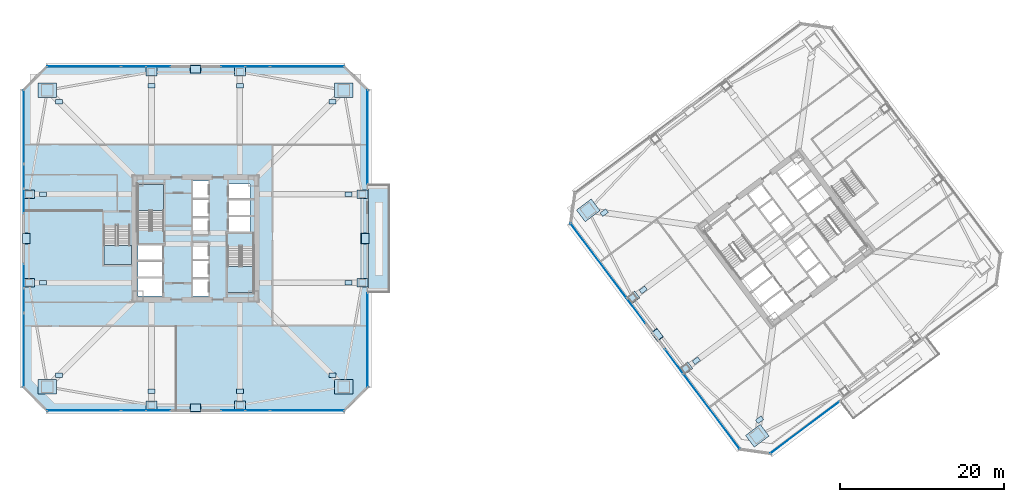
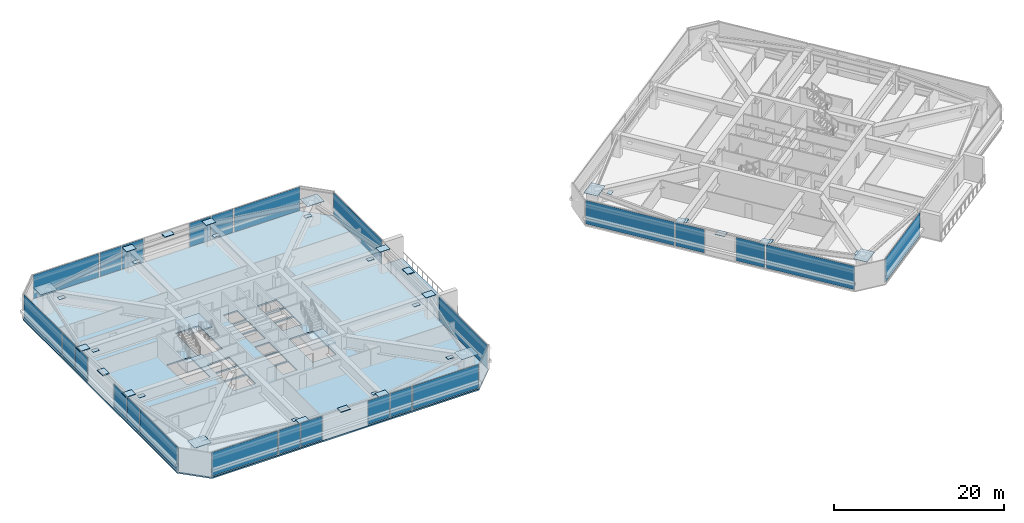
# One storey, part 36 of 49: 67 plates, 5 slabs, 22 elements without a shape of their own.
"""IFC4 building model written with IfcOpenShell, lengths in metres."""

from ifc_helpers import new_model, si_unit, direction, frame, origin, origin_2d, place, context, subcontext, project, spatial, polyline, rectangle, outline, extrude, material, layer, layer_set, type_object, element, aggregate, save


model = new_model("IFC4")

# Units and contexts
model_context = context("Model", 3, precision=1e-05, world=origin(), true_north=direction((0.0, 1.0)))
body_context = subcontext(model_context, "Body", "Model", "MODEL_VIEW")
ifc_project = project(units=[si_unit("LENGTHUNIT", "METRE"), si_unit("AREAUNIT", "SQUARE_METRE"), si_unit("VOLUMEUNIT", "CUBIC_METRE"), si_unit("PLANEANGLEUNIT", "RADIAN"), si_unit("MASSUNIT", "GRAM", prefix="KILO")], contexts=[model_context])

# Site, building, storey
site_placement = place(None, origin())
site = spatial("IfcSite", under=ifc_project, at=site_placement, CompositionType="ELEMENT")
building_placement = place(site_placement, origin())
building = spatial("IfcBuilding", under=site, at=building_placement, Name="Tashvorn Skyway Center", CompositionType="ELEMENT")
storey_placement = place(building_placement, frame((0.0, 0.0, 106.25)))
storey = spatial("IfcBuildingStorey", under=building, at=storey_placement, Name="L28", CompositionType="ELEMENT", Elevation=106.25)

# Curtain wall, plate
ifc_material_1 = material(Name="Thermally broken bronze-anodized aluminium 6063-T6", Category="aluminium")
curtain_wall_type = type_object("IfcCurtainWallType", Name="CW-CW-Z2", PredefinedType="NOTDEFINED", material=ifc_material_1)
curtain_wall_1_placement = place(storey_placement, origin())
curtain_wall_1 = element("IfcCurtainWall", 1, at=curtain_wall_1_placement, inside=storey, type_object=curtain_wall_type, Name="Tower 1 L28 South Unitised Curtain Wall Glazing Group 1", PredefinedType="NOTDEFINED")
ifc_material_2 = material(Name="Low-E solar-control double insulating safety glass", Category="glass")
ifc_layer_1 = layer(ifc_material_2, 0.0439453125)
ifc_layer_set_1 = layer_set([ifc_layer_1], Name="Low-E solar-control double insulating safety glass")
plate_type_1 = type_object("IfcPlateType", Name="CWP-CW-Z2", PredefinedType="CURTAIN_PANEL", material=ifc_layer_set_1)
plate_1_placement = place(storey_placement, frame((55.635009765625, 11.02001953125, 0.080078125), z_axis=(0.0, 0.0, 1.0), x_axis=(-1.0, 0.0, 0.0)))
plate_1 = element("IfcPlate", 2, at=plate_1_placement, type_object=plate_type_1, Name="CW-Z2 panel 1.1", PredefinedType="CURTAIN_PANEL", context=body_context, shape_type="SweptSolid", body=[
    extrude(rectangle(XDim=8.929931640625, YDim=0.0439453125, at=origin_2d()), origin(), (0.0, 0.0, 1.0), 3.389892578125),
])
aggregate(curtain_wall_1, [plate_1])

# Curtain wall, plates
curtain_wall_2_placement = place(storey_placement, origin())
curtain_wall_2 = element("IfcCurtainWall", 3, at=curtain_wall_2_placement, inside=storey, type_object=curtain_wall_type, Name="Tower 1 L28 South Unitised Curtain Wall Glazing Group 2", PredefinedType="NOTDEFINED")
plate_2_placement = place(storey_placement, frame((49.554931640625, 11.02001953125, 0.080078125), z_axis=(0.0, 0.0, 1.0), x_axis=(-1.0, 0.0, 0.0)))
plate_2 = element("IfcPlate", 4, at=plate_2_placement, type_object=plate_type_1, Name="CW-Z2 panel 1.1", PredefinedType="CURTAIN_PANEL", context=body_context, shape_type="SweptSolid", body=[
    extrude(rectangle(XDim=2.909912109375, YDim=0.0439453125, at=origin_2d()), origin(), (0.0, 0.0, 1.0), 3.389892578125),
])
plate_3_placement = place(storey_placement, frame((46.56494140625, 11.02001953125, 0.080078125), z_axis=(0.0, 0.0, 1.0), x_axis=(-1.0, 0.0, 0.0)))
plate_3 = element("IfcPlate", 5, at=plate_3_placement, type_object=plate_type_1, Name="CW-Z2 panel 2.1", PredefinedType="CURTAIN_PANEL", context=body_context, shape_type="SweptSolid", body=[
    extrude(rectangle(XDim=2.909912109375, YDim=0.0439453125, at=origin_2d()), origin(), (0.0, 0.0, 1.0), 3.389892578125),
])
aggregate(curtain_wall_2, [plate_2, plate_3])

curtain_wall_3_placement = place(storey_placement, origin())
curtain_wall_3 = element("IfcCurtainWall", 6, at=curtain_wall_3_placement, inside=storey, type_object=curtain_wall_type, Name="Tower 1 L28 South Unitised Curtain Wall Glazing Group 3", PredefinedType="NOTDEFINED")
plate_4_placement = place(storey_placement, frame((37.43505859375, 11.02001953125, 0.080078125), z_axis=(0.0, 0.0, 1.0), x_axis=(-1.0, 0.0, 0.0)))
plate_4 = element("IfcPlate", 7, at=plate_4_placement, type_object=plate_type_1, Name="CW-Z2 panel 1.1", PredefinedType="CURTAIN_PANEL", context=body_context, shape_type="SweptSolid", body=[
    extrude(rectangle(XDim=2.909912109375, YDim=0.0439453125, at=origin_2d()), origin(), (0.0, 0.0, 1.0), 3.389892578125),
])
plate_5_placement = place(storey_placement, frame((34.445068359375, 11.02001953125, 0.080078125), z_axis=(0.0, 0.0, 1.0), x_axis=(-1.0, 0.0, 0.0)))
plate_5 = element("IfcPlate", 8, at=plate_5_placement, type_object=plate_type_1, Name="CW-Z2 panel 2.1", PredefinedType="CURTAIN_PANEL", context=body_context, shape_type="SweptSolid", body=[
    extrude(rectangle(XDim=2.909912109375, YDim=0.0439453125, at=origin_2d()), origin(), (0.0, 0.0, 1.0), 3.389892578125),
])
aggregate(curtain_wall_3, [plate_4, plate_5])

# Curtain wall, plate
curtain_wall_4_placement = place(storey_placement, origin())
curtain_wall_4 = element("IfcCurtainWall", 9, at=curtain_wall_4_placement, inside=storey, type_object=curtain_wall_type, Name="Tower 1 L28 South Unitised Curtain Wall Glazing Group 4", PredefinedType="NOTDEFINED")
plate_6_placement = place(storey_placement, frame((28.364990234375, 11.02001953125, 0.080078125), z_axis=(0.0, 0.0, 1.0), x_axis=(-1.0, 0.0, 0.0)))
plate_6 = element("IfcPlate", 10, at=plate_6_placement, type_object=plate_type_1, Name="CW-Z2 panel 1.1", PredefinedType="CURTAIN_PANEL", context=body_context, shape_type="SweptSolid", body=[
    extrude(rectangle(XDim=8.929931640625, YDim=0.0439453125, at=origin_2d()), origin(), (0.0, 0.0, 1.0), 3.389892578125),
])
aggregate(curtain_wall_4, [plate_6])

curtain_wall_5_placement = place(storey_placement, origin())
curtain_wall_5 = element("IfcCurtainWall", 11, at=curtain_wall_5_placement, inside=storey, type_object=curtain_wall_type, Name="Tower 1 L28 West Unitised Curtain Wall Glazing Group 1", PredefinedType="NOTDEFINED")
plate_7_placement = place(storey_placement, frame((21.02001953125, 18.364990234375, 0.080078125), z_axis=(0.0, 0.0, 1.0), x_axis=(0.0, 1.0, 0.0)))
plate_7 = element("IfcPlate", 12, at=plate_7_placement, type_object=plate_type_1, Name="CW-Z2 panel 1.1", PredefinedType="CURTAIN_PANEL", context=body_context, shape_type="SweptSolid", body=[
    extrude(rectangle(XDim=8.929931640625, YDim=0.0439453125, at=origin_2d()), origin(), (0.0, 0.0, 1.0), 3.389892578125),
])
aggregate(curtain_wall_5, [plate_7])

# Curtain wall, plates
curtain_wall_6_placement = place(storey_placement, origin())
curtain_wall_6 = element("IfcCurtainWall", 13, at=curtain_wall_6_placement, inside=storey, type_object=curtain_wall_type, Name="Tower 1 L28 West Unitised Curtain Wall Glazing Group 2", PredefinedType="NOTDEFINED")
plate_8_placement = place(storey_placement, frame((21.02001953125, 24.445068359375, 0.080078125), z_axis=(0.0, 0.0, 1.0), x_axis=(0.0, 1.0, 0.0)))
plate_8 = element("IfcPlate", 14, at=plate_8_placement, type_object=plate_type_1, Name="CW-Z2 panel 1.1", PredefinedType="CURTAIN_PANEL", context=body_context, shape_type="SweptSolid", body=[
    extrude(rectangle(XDim=2.909912109375, YDim=0.0439453125, at=origin_2d()), origin(), (0.0, 0.0, 1.0), 3.389892578125),
])
plate_9_placement = place(storey_placement, frame((21.02001953125, 27.43505859375, 0.080078125), z_axis=(0.0, 0.0, 1.0), x_axis=(0.0, 1.0, 0.0)))
plate_9 = element("IfcPlate", 15, at=plate_9_placement, type_object=plate_type_1, Name="CW-Z2 panel 2.1", PredefinedType="CURTAIN_PANEL", context=body_context, shape_type="SweptSolid", body=[
    extrude(rectangle(XDim=2.909912109375, YDim=0.0439453125, at=origin_2d()), origin(), (0.0, 0.0, 1.0), 3.389892578125),
])
aggregate(curtain_wall_6, [plate_8, plate_9])

curtain_wall_7_placement = place(storey_placement, origin())
curtain_wall_7 = element("IfcCurtainWall", 16, at=curtain_wall_7_placement, inside=storey, type_object=curtain_wall_type, Name="Tower 1 L28 West Unitised Curtain Wall Glazing Group 3", PredefinedType="NOTDEFINED")
plate_10_placement = place(storey_placement, frame((21.02001953125, 36.56494140625, 0.080078125), z_axis=(0.0, 0.0, 1.0), x_axis=(0.0, 1.0, 0.0)))
plate_10 = element("IfcPlate", 17, at=plate_10_placement, type_object=plate_type_1, Name="CW-Z2 panel 1.1", PredefinedType="CURTAIN_PANEL", context=body_context, shape_type="SweptSolid", body=[
    extrude(rectangle(XDim=2.909912109375, YDim=0.0439453125, at=origin_2d()), origin(), (0.0, 0.0, 1.0), 3.389892578125),
])
plate_11_placement = place(storey_placement, frame((21.02001953125, 39.554931640625, 0.080078125), z_axis=(0.0, 0.0, 1.0), x_axis=(0.0, 1.0, 0.0)))
plate_11 = element("IfcPlate", 18, at=plate_11_placement, type_object=plate_type_1, Name="CW-Z2 panel 2.1", PredefinedType="CURTAIN_PANEL", context=body_context, shape_type="SweptSolid", body=[
    extrude(rectangle(XDim=2.909912109375, YDim=0.0439453125, at=origin_2d()), origin(), (0.0, 0.0, 1.0), 3.389892578125),
])
aggregate(curtain_wall_7, [plate_10, plate_11])

# Curtain wall, plate
curtain_wall_8_placement = place(storey_placement, origin())
curtain_wall_8 = element("IfcCurtainWall", 19, at=curtain_wall_8_placement, inside=storey, type_object=curtain_wall_type, Name="Tower 1 L28 West Unitised Curtain Wall Glazing Group 4", PredefinedType="NOTDEFINED")
plate_12_placement = place(storey_placement, frame((21.02001953125, 45.635009765625, 0.080078125), z_axis=(0.0, 0.0, 1.0), x_axis=(0.0, 1.0, 0.0)))
plate_12 = element("IfcPlate", 20, at=plate_12_placement, type_object=plate_type_1, Name="CW-Z2 panel 1.1", PredefinedType="CURTAIN_PANEL", context=body_context, shape_type="SweptSolid", body=[
    extrude(rectangle(XDim=8.929931640625, YDim=0.0439453125, at=origin_2d()), origin(), (0.0, 0.0, 1.0), 3.389892578125),
])
aggregate(curtain_wall_8, [plate_12])

curtain_wall_9_placement = place(storey_placement, origin())
curtain_wall_9 = element("IfcCurtainWall", 21, at=curtain_wall_9_placement, inside=storey, type_object=curtain_wall_type, Name="Tower 1 L28 North Unitised Curtain Wall Glazing Group 1", PredefinedType="NOTDEFINED")
plate_13_placement = place(storey_placement, frame((28.364990234375, 52.97998046875, 0.080078125), z_axis=(0.0, 0.0, 1.0), x_axis=(1.0, 0.0, 0.0)))
plate_13 = element("IfcPlate", 22, at=plate_13_placement, type_object=plate_type_1, Name="CW-Z2 panel 1.1", PredefinedType="CURTAIN_PANEL", context=body_context, shape_type="SweptSolid", body=[
    extrude(rectangle(XDim=8.929931640625, YDim=0.0439453125, at=origin_2d()), origin(), (0.0, 0.0, 1.0), 3.389892578125),
])
aggregate(curtain_wall_9, [plate_13])

# Curtain wall, plates
curtain_wall_10_placement = place(storey_placement, origin())
curtain_wall_10 = element("IfcCurtainWall", 23, at=curtain_wall_10_placement, inside=storey, type_object=curtain_wall_type, Name="Tower 1 L28 North Unitised Curtain Wall Glazing Group 2", PredefinedType="NOTDEFINED")
plate_14_placement = place(storey_placement, frame((34.445068359375, 52.97998046875, 0.080078125), z_axis=(0.0, 0.0, 1.0), x_axis=(1.0, 0.0, 0.0)))
plate_14 = element("IfcPlate", 24, at=plate_14_placement, type_object=plate_type_1, Name="CW-Z2 panel 1.1", PredefinedType="CURTAIN_PANEL", context=body_context, shape_type="SweptSolid", body=[
    extrude(rectangle(XDim=2.909912109375, YDim=0.0439453125, at=origin_2d()), origin(), (0.0, 0.0, 1.0), 3.389892578125),
])
plate_15_placement = place(storey_placement, frame((37.43505859375, 52.97998046875, 0.080078125), z_axis=(0.0, 0.0, 1.0), x_axis=(1.0, 0.0, 0.0)))
plate_15 = element("IfcPlate", 25, at=plate_15_placement, type_object=plate_type_1, Name="CW-Z2 panel 2.1", PredefinedType="CURTAIN_PANEL", context=body_context, shape_type="SweptSolid", body=[
    extrude(rectangle(XDim=2.909912109375, YDim=0.0439453125, at=origin_2d()), origin(), (0.0, 0.0, 1.0), 3.389892578125),
])
aggregate(curtain_wall_10, [plate_14, plate_15])

curtain_wall_11_placement = place(storey_placement, origin())
curtain_wall_11 = element("IfcCurtainWall", 26, at=curtain_wall_11_placement, inside=storey, type_object=curtain_wall_type, Name="Tower 1 L28 North Unitised Curtain Wall Glazing Group 3", PredefinedType="NOTDEFINED")
plate_16_placement = place(storey_placement, frame((46.56494140625, 52.97998046875, 0.080078125), z_axis=(0.0, 0.0, 1.0), x_axis=(1.0, 0.0, 0.0)))
plate_16 = element("IfcPlate", 27, at=plate_16_placement, type_object=plate_type_1, Name="CW-Z2 panel 1.1", PredefinedType="CURTAIN_PANEL", context=body_context, shape_type="SweptSolid", body=[
    extrude(rectangle(XDim=2.909912109375, YDim=0.0439453125, at=origin_2d()), origin(), (0.0, 0.0, 1.0), 3.389892578125),
])
plate_17_placement = place(storey_placement, frame((49.554931640625, 52.97998046875, 0.080078125), z_axis=(0.0, 0.0, 1.0), x_axis=(1.0, 0.0, 0.0)))
plate_17 = element("IfcPlate", 28, at=plate_17_placement, type_object=plate_type_1, Name="CW-Z2 panel 2.1", PredefinedType="CURTAIN_PANEL", context=body_context, shape_type="SweptSolid", body=[
    extrude(rectangle(XDim=2.909912109375, YDim=0.0439453125, at=origin_2d()), origin(), (0.0, 0.0, 1.0), 3.389892578125),
])
aggregate(curtain_wall_11, [plate_16, plate_17])

# Curtain wall, plate
curtain_wall_12_placement = place(storey_placement, origin())
curtain_wall_12 = element("IfcCurtainWall", 29, at=curtain_wall_12_placement, inside=storey, type_object=curtain_wall_type, Name="Tower 1 L28 North Unitised Curtain Wall Glazing Group 4", PredefinedType="NOTDEFINED")
plate_18_placement = place(storey_placement, frame((55.635009765625, 52.97998046875, 0.080078125), z_axis=(0.0, 0.0, 1.0), x_axis=(1.0, 0.0, 0.0)))
plate_18 = element("IfcPlate", 30, at=plate_18_placement, type_object=plate_type_1, Name="CW-Z2 panel 1.1", PredefinedType="CURTAIN_PANEL", context=body_context, shape_type="SweptSolid", body=[
    extrude(rectangle(XDim=8.929931640625, YDim=0.0439453125, at=origin_2d()), origin(), (0.0, 0.0, 1.0), 3.389892578125),
])
aggregate(curtain_wall_12, [plate_18])

curtain_wall_13_placement = place(storey_placement, origin())
curtain_wall_13 = element("IfcCurtainWall", 31, at=curtain_wall_13_placement, inside=storey, type_object=curtain_wall_type, Name="Tower 1 L28 East Curtain Wall L", PredefinedType="NOTDEFINED")
plate_19_placement = place(storey_placement, frame((62.97998046875, 44.389892578125, 0.080078125), z_axis=(0.0, 0.0, 1.0), x_axis=(0.0, -1.0, 0.0)))
plate_19 = element("IfcPlate", 32, at=plate_19_placement, type_object=plate_type_1, Name="CW-Z2 panel 1.1", PredefinedType="CURTAIN_PANEL", context=body_context, shape_type="SweptSolid", body=[
    extrude(rectangle(XDim=11.419921875, YDim=0.0439453125, at=origin_2d()), origin(), (0.0, 0.0, 1.0), 3.389892578125),
])
aggregate(curtain_wall_13, [plate_19])

curtain_wall_14_placement = place(storey_placement, origin())
curtain_wall_14 = element("IfcCurtainWall", 33, at=curtain_wall_14_placement, inside=storey, type_object=curtain_wall_type, Name="Tower 1 L28 East Curtain Wall R", PredefinedType="NOTDEFINED")
plate_20_placement = place(storey_placement, frame((62.97998046875, 19.610107421875, 0.080078125), z_axis=(0.0, 0.0, 1.0), x_axis=(0.0, -1.0, 0.0)))
plate_20 = element("IfcPlate", 34, at=plate_20_placement, type_object=plate_type_1, Name="CW-Z2 panel 1.1", PredefinedType="CURTAIN_PANEL", context=body_context, shape_type="SweptSolid", body=[
    extrude(rectangle(XDim=11.419921875, YDim=0.0439453125, at=origin_2d()), origin(), (0.0, 0.0, 1.0), 3.389892578125),
])
aggregate(curtain_wall_14, [plate_20])

curtain_wall_15_placement = place(storey_placement, origin())
curtain_wall_15 = element("IfcCurtainWall", 35, at=curtain_wall_15_placement, inside=storey, type_object=curtain_wall_type, Name="Tower 2 L28 South Curtain Wall R", PredefinedType="NOTDEFINED")
plate_21_placement = place(storey_placement, frame((116.3759765625, 8.931884765625, 0.080078125), z_axis=(0.0, 0.0, 1.0), x_axis=(-0.799999999998, -0.600000000002, 0.0)))
plate_21 = element("IfcPlate", 36, at=plate_21_placement, type_object=plate_type_1, Name="CW-Z2 panel 1.1", PredefinedType="CURTAIN_PANEL", context=body_context, shape_type="SweptSolid", body=[
    extrude(rectangle(XDim=10.52001953125, YDim=0.0439453125, at=origin_2d()), origin(), (0.0, 0.0, 1.0), 3.389892578125),
])
aggregate(curtain_wall_15, [plate_21])

curtain_wall_16_placement = place(storey_placement, origin())
curtain_wall_16 = element("IfcCurtainWall", 37, at=curtain_wall_16_placement, inside=storey, type_object=curtain_wall_type, Name="Tower 2 L28 West Unitised Curtain Wall Glazing Group 1", PredefinedType="NOTDEFINED")
plate_22_placement = place(storey_placement, frame((105.008056640625, 10.85595703125, 0.080078125), z_axis=(0.0, 0.0, 1.0), x_axis=(-0.600000000002, 0.799999999998, 0.0)))
plate_22 = element("IfcPlate", 38, at=plate_22_placement, type_object=plate_type_1, Name="CW-Z2 panel 1.1", PredefinedType="CURTAIN_PANEL", context=body_context, shape_type="SweptSolid", body=[
    extrude(rectangle(XDim=11.360107421875, YDim=0.0439453125, at=origin_2d()), origin(), (0.0, 0.0, 1.0), 3.389892578125),
])
aggregate(curtain_wall_16, [plate_22])

curtain_wall_17_placement = place(storey_placement, origin())
curtain_wall_17 = element("IfcCurtainWall", 39, at=curtain_wall_17_placement, inside=storey, type_object=curtain_wall_type, Name="Tower 2 L28 West Unitised Curtain Wall Glazing Group 2", PredefinedType="NOTDEFINED")
plate_23_placement = place(storey_placement, frame((100.39990234375, 17.0, 0.080078125), z_axis=(0.0, 0.0, 1.0), x_axis=(-0.600000000002, 0.799999999998, 0.0)))
plate_23 = element("IfcPlate", 40, at=plate_23_placement, type_object=plate_type_1, Name="CW-Z2 panel 1.1", PredefinedType="CURTAIN_PANEL", context=body_context, shape_type="SweptSolid", body=[
    extrude(rectangle(XDim=3.679931640625, YDim=0.0439453125, at=origin_2d()), origin(), (0.0, 0.0, 1.0), 3.389892578125),
])
aggregate(curtain_wall_17, [plate_23])

curtain_wall_18_placement = place(storey_placement, origin())
curtain_wall_18 = element("IfcCurtainWall", 41, at=curtain_wall_18_placement, inside=storey, type_object=curtain_wall_type, Name="Tower 2 L28 West Unitised Curtain Wall Glazing Group 3", PredefinedType="NOTDEFINED")
plate_24_placement = place(storey_placement, frame((95.7919921875, 23.14404296875, 0.080078125), z_axis=(0.0, 0.0, 1.0), x_axis=(-0.600000000002, 0.799999999998, 0.0)))
plate_24 = element("IfcPlate", 42, at=plate_24_placement, type_object=plate_type_1, Name="CW-Z2 panel 1.1", PredefinedType="CURTAIN_PANEL", context=body_context, shape_type="SweptSolid", body=[
    extrude(rectangle(XDim=3.679931640625, YDim=0.0439453125, at=origin_2d()), origin(), (0.0, 0.0, 1.0), 3.389892578125),
])
aggregate(curtain_wall_18, [plate_24])

curtain_wall_19_placement = place(storey_placement, origin())
curtain_wall_19 = element("IfcCurtainWall", 43, at=curtain_wall_19_placement, inside=storey, type_object=curtain_wall_type, Name="Tower 2 L28 West Unitised Curtain Wall Glazing Group 4", PredefinedType="NOTDEFINED")
plate_25_placement = place(storey_placement, frame((91.18408203125, 29.2880859375, 0.080078125), z_axis=(0.0, 0.0, 1.0), x_axis=(-0.600000000002, 0.799999999998, 0.0)))
plate_25 = element("IfcPlate", 44, at=plate_25_placement, type_object=plate_type_1, Name="CW-Z2 panel 1.1", PredefinedType="CURTAIN_PANEL", context=body_context, shape_type="SweptSolid", body=[
    extrude(rectangle(XDim=11.360107421875, YDim=0.0439453125, at=origin_2d()), origin(), (0.0, 0.0, 1.0), 3.389892578125),
])
aggregate(curtain_wall_19, [plate_25])

# Plates
ifc_material_3 = material(Name="Steel ASTM A572 Grade 50", Category="steel")
ifc_layer_2 = layer(ifc_material_3, 0.034912109375)
ifc_layer_set_2 = layer_set([ifc_layer_2], Name="Steel ASTM A572 Grade 50")
plate_type_2 = type_object("IfcPlateType", Name="PLT-CAP-35", PredefinedType="USERDEFINED", material=ifc_layer_set_2)
for number, where, z_axis, x_axis, name in (
    (45, (42.0, 11.320068359375, 3.2373046875), (0.0, 0.0, 1.0), (1.0, 0.0, 0.0), "Tower 1 Zone 2 S Hollow-Section End Cap Plate"),
    (46, (62.679931640625, 32.0, 3.2373046875), (0.0, 0.0, 1.0), (0.0, 1.0, 0.0), "Tower 1 Zone 2 E Hollow-Section End Cap Plate"),
    (47, (42.0, 52.679931640625, 3.2373046875), (0.0, 0.0, 1.0), (-1.0, 0.0, 0.0), "Tower 1 Zone 2 N Hollow-Section End Cap Plate"),
    (48, (21.320068359375, 32.0, 3.2373046875), (0.0, 0.0, 1.0), (0.0, -1.0, 0.0), "Tower 1 Zone 2 W Hollow-Section End Cap Plate"),
    (49, (98.3359375, 20.251953125, 3.2373046875), (0.0, 0.0, 1.0), (0.600000004945, -0.799999996291, 0.0), "Tower 2 Zone 2 W Hollow-Section End Cap Plate"),
):
    element("IfcPlate", number, at=place(storey_placement, frame(where, z_axis=z_axis, x_axis=x_axis)), inside=storey, type_object=plate_type_2, Name=name, ObjectType="END PLATE", PredefinedType="USERDEFINED", context=body_context, shape_type="SweptSolid", body=[
        extrude(rectangle(XDim=1.199951171875, YDim=0.919921875, at=origin_2d()), origin(), (0.0, 0.0, 1.0), 0.034912109375),
    ])
ifc_layer_3 = layer(ifc_material_3, 0.050048828125)
ifc_layer_set_3 = layer_set([ifc_layer_3], Name="Steel ASTM A572 Grade 50")
plate_type_3 = type_object("IfcPlateType", Name="PLT-ENDCAP-1650", PredefinedType="USERDEFINED", material=ifc_layer_set_3)
for number, where, z_axis, x_axis, name in (
    (50, (23.89990234375, 13.89990234375, 3.23974609375), (0.0, 0.0, 1.0), (1.0, 0.0, 0.0), "Tower 1 L28 MC-SW Setback Cap End Plate"),
    (51, (60.10009765625, 13.89990234375, 3.23974609375), (0.0, 0.0, 1.0), (1.0, 0.0, 0.0), "Tower 1 L28 MC-SE Setback Cap End Plate"),
    (52, (60.10009765625, 50.10009765625, 3.23974609375), (0.0, 0.0, 1.0), (1.0, 0.0, 0.0), "Tower 1 L28 MC-NE Setback Cap End Plate"),
    (53, (23.89990234375, 50.10009765625, 3.23974609375), (0.0, 0.0, 1.0), (1.0, 0.0, 0.0), "Tower 1 L28 MC-NW Setback Cap End Plate"),
    (54, (110.56005859375, 7.919921875, 3.23974609375), (0.0, 0.0, 1.0), (0.799999996291, 0.600000004945, 0.0), "Tower 2 L28 MC-SW Setback Cap End Plate"),
    (55, (89.919921875, 35.43994140625, 3.23974609375), (0.0, 0.0, 1.0), (0.799999996291, 0.600000004945, 0.0), "Tower 2 L28 MC-NW Setback Cap End Plate"),
):
    element("IfcPlate", number, at=place(storey_placement, frame(where, z_axis=z_axis, x_axis=x_axis)), inside=storey, type_object=plate_type_3, Name=name, ObjectType="END PLATE", PredefinedType="USERDEFINED", context=body_context, shape_type="SweptSolid", body=[
        extrude(rectangle(XDim=2.25, YDim=1.780029296875, at=origin_2d()), origin(), (0.0, 0.0, 1.0), 0.050048828125),
    ])
ifc_layer_4 = layer(ifc_material_3, 0.050048828125)
ifc_layer_set_4 = layer_set([ifc_layer_4], Name="Steel ASTM A572 Grade 50")
plate_type_4 = type_object("IfcPlateType", Name="PLT-ENDCAP-900", PredefinedType="USERDEFINED", material=ifc_layer_set_4)
for number, where, z_axis, x_axis, name in (
    (56, (36.60009765625, 11.64990234375, 3.23974609375), (0.0, 0.0, 1.0), (1.0, 0.0, 0.0), "Tower 1 L28 FC-S1 Setback Cap End Plate"),
    (57, (47.39990234375, 11.64990234375, 3.23974609375), (0.0, 0.0, 1.0), (1.0, 0.0, 0.0), "Tower 1 L28 FC-S2 Setback Cap End Plate"),
    (58, (62.35009765625, 26.60009765625, 3.23974609375), (0.0, 0.0, 1.0), (1.0, 0.0, 0.0), "Tower 1 L28 FC-E1 Setback Cap End Plate"),
    (59, (62.35009765625, 37.39990234375, 3.23974609375), (0.0, 0.0, 1.0), (1.0, 0.0, 0.0), "Tower 1 L28 FC-E2 Setback Cap End Plate"),
    (60, (47.39990234375, 52.35009765625, 3.23974609375), (0.0, 0.0, 1.0), (1.0, 0.0, 0.0), "Tower 1 L28 FC-N1 Setback Cap End Plate"),
    (61, (36.60009765625, 52.35009765625, 3.23974609375), (0.0, 0.0, 1.0), (1.0, 0.0, 0.0), "Tower 1 L28 FC-N2 Setback Cap End Plate"),
    (62, (21.64990234375, 37.39990234375, 3.23974609375), (0.0, 0.0, 1.0), (1.0, 0.0, 0.0), "Tower 1 L28 FC-W1 Setback Cap End Plate"),
    (63, (21.64990234375, 26.60009765625, 3.23974609375), (0.0, 0.0, 1.0), (1.0, 0.0, 0.0), "Tower 1 L28 FC-W2 Setback Cap End Plate"),
    (64, (95.360107421875, 24.77001953125, 3.23974609375), (0.0, 0.0, 1.0), (0.799999996291, 0.600000004945, 0.0), "Tower 2 L28 FC-W1 Setback Cap End Plate"),
    (65, (101.840087890625, 16.1298828125, 3.23974609375), (0.0, 0.0, 1.0), (0.799999996291, 0.600000004945, 0.0), "Tower 2 L28 FC-W2 Setback Cap End Plate"),
):
    element("IfcPlate", number, at=place(storey_placement, frame(where, z_axis=z_axis, x_axis=x_axis)), inside=storey, type_object=plate_type_4, Name=name, ObjectType="END PLATE", PredefinedType="USERDEFINED", context=body_context, shape_type="SweptSolid", body=[
        extrude(rectangle(XDim=1.35009765625, YDim=1.050048828125, at=origin_2d()), origin(), (0.0, 0.0, 1.0), 0.050048828125),
    ])
ifc_layer_5 = layer(ifc_material_3, 0.044921875)
ifc_layer_set_5 = layer_set([ifc_layer_5], Name="Steel ASTM A572 Grade 50")
plate_type_5 = type_object("IfcPlateType", Name="PLT-GUSSET-45", PredefinedType="USERDEFINED", material=ifc_layer_set_5)
for number, where, z_axis, x_axis, name in (
    (66, (42.0, 11.320068359375, 3.192626953125), (0.0, 0.0, 1.0), (1.0, 0.0, 0.0), "Tower 1 Zone 2 S Apex Node Gusset Plate"),
    (67, (62.679931640625, 32.0, 3.192626953125), (0.0, 0.0, 1.0), (0.0, 1.0, 0.0), "Tower 1 Zone 2 E Apex Node Gusset Plate"),
    (68, (42.0, 52.679931640625, 3.192626953125), (0.0, 0.0, 1.0), (-1.0, 0.0, 0.0), "Tower 1 Zone 2 N Apex Node Gusset Plate"),
    (69, (21.320068359375, 32.0, 3.192626953125), (0.0, 0.0, 1.0), (0.0, -1.0, 0.0), "Tower 1 Zone 2 W Apex Node Gusset Plate"),
    (70, (98.3359375, 20.251953125, 3.192626953125), (0.0, 0.0, 1.0), (0.600000004945, -0.799999996291, 0.0), "Tower 2 Zone 2 W Apex Node Gusset Plate"),
):
    element("IfcPlate", number, at=place(storey_placement, frame(where, z_axis=z_axis, x_axis=x_axis)), inside=storey, type_object=plate_type_5, Name=name, ObjectType="GUSSET PLATE", PredefinedType="USERDEFINED", context=body_context, shape_type="SweptSolid", body=[
        extrude(rectangle(XDim=1.35009765625, YDim=0.949951171875, at=origin_2d()), origin(), (0.0, 0.0, 1.0), 0.044921875),
    ])
ifc_layer_6 = layer(ifc_material_3, 0.030029296875)
ifc_layer_set_6 = layer_set([ifc_layer_6], Name="Steel ASTM A572 Grade 50")
plate_type_6 = type_object("IfcPlateType", Name="PLT-STIFF-30", PredefinedType="SHEET", material=ifc_layer_set_6)
for number, where, z_axis, x_axis, name in (
    (71, (25.300048828125, 15.300048828125, 2.3349609375), (0.0, 0.0, 1.0), (1.0, 0.0, 0.0), "Tower 1 L28 Transfer Bearing Stiffener MC-SW"),
    (72, (58.699951171875, 15.300048828125, 2.3349609375), (0.0, 0.0, 1.0), (1.0, 0.0, 0.0), "Tower 1 L28 Transfer Bearing Stiffener MC-SE"),
    (73, (58.699951171875, 48.699951171875, 2.3349609375), (0.0, 0.0, 1.0), (1.0, 0.0, 0.0), "Tower 1 L28 Transfer Bearing Stiffener MC-NE"),
    (74, (25.300048828125, 48.699951171875, 2.3349609375), (0.0, 0.0, 1.0), (1.0, 0.0, 0.0), "Tower 1 L28 Transfer Bearing Stiffener MC-NW"),
    (75, (36.60009765625, 13.35009765625, 2.3349609375), (0.0, 0.0, 1.0), (1.0, 0.0, 0.0), "Tower 1 L28 Transfer Bearing Stiffener FC-S1"),
    (76, (47.39990234375, 13.35009765625, 2.3349609375), (0.0, 0.0, 1.0), (1.0, 0.0, 0.0), "Tower 1 L28 Transfer Bearing Stiffener FC-S2"),
    (77, (60.64990234375, 26.60009765625, 2.3349609375), (0.0, 0.0, 1.0), (1.0, 0.0, 0.0), "Tower 1 L28 Transfer Bearing Stiffener FC-E1"),
    (78, (60.64990234375, 37.39990234375, 2.3349609375), (0.0, 0.0, 1.0), (1.0, 0.0, 0.0), "Tower 1 L28 Transfer Bearing Stiffener FC-E2"),
    (79, (47.39990234375, 50.64990234375, 2.3349609375), (0.0, 0.0, 1.0), (1.0, 0.0, 0.0), "Tower 1 L28 Transfer Bearing Stiffener FC-N1"),
    (80, (36.60009765625, 50.64990234375, 2.3349609375), (0.0, 0.0, 1.0), (1.0, 0.0, 0.0), "Tower 1 L28 Transfer Bearing Stiffener FC-N2"),
    (81, (23.35009765625, 37.39990234375, 2.3349609375), (0.0, 0.0, 1.0), (1.0, 0.0, 0.0), "Tower 1 L28 Transfer Bearing Stiffener FC-W1"),
    (82, (23.35009765625, 26.60009765625, 2.3349609375), (0.0, 0.0, 1.0), (1.0, 0.0, 0.0), "Tower 1 L28 Transfer Bearing Stiffener FC-W2"),
    (83, (110.840087890625, 9.8798828125, 2.3349609375), (0.0, 0.0, 1.0), (0.799999996291, 0.600000004945, 0.0), "Tower 2 L28 Transfer Bearing Stiffener MC-SW"),
    (84, (91.8798828125, 35.159912109375, 2.3349609375), (0.0, 0.0, 1.0), (0.799999996291, 0.600000004945, 0.0), "Tower 2 L28 Transfer Bearing Stiffener MC-NW"),
    (85, (96.639892578125, 25.72998046875, 2.3349609375), (0.0, 0.0, 1.0), (0.799999996291, 0.600000004945, 0.0), "Tower 2 L28 Transfer Bearing Stiffener FC-W1"),
    (86, (103.1201171875, 17.090087890625, 2.3349609375), (0.0, 0.0, 1.0), (0.799999996291, 0.600000004945, 0.0), "Tower 2 L28 Transfer Bearing Stiffener FC-W2"),
):
    element("IfcPlate", number, at=place(storey_placement, frame(where, z_axis=z_axis, x_axis=x_axis)), inside=storey, type_object=plate_type_6, Name=name, PredefinedType="SHEET", context=body_context, shape_type="SweptSolid", body=[
        extrude(rectangle(XDim=0.85009765625, YDim=0.550048828125, at=origin_2d()), origin(), (0.0, 0.0, 1.0), 0.030029296875),
    ])

# Slab
ifc_material_4 = material(Name="Concrete C40/50", Category="concrete")
ifc_layer_7 = layer(ifc_material_4, 0.199951171875)
ifc_layer_set_7 = layer_set([ifc_layer_7], Name="Concrete C40/50")
slab_type_1 = type_object("IfcSlabType", Name="SLAB-FLR-200", PredefinedType="FLOOR", material=ifc_layer_set_7)
slab_1_placement = place(storey_placement, frame((0.0, 0.0, -0.199951171875)))
element("IfcSlab", 87, at=slab_1_placement, inside=storey, type_object=slab_type_1, Name="Tower 1 L28 Composite Floor Slab", PredefinedType="FLOOR", context=body_context, shape_type="SweptSolid", body=[
    extrude(outline(polyline([(23.89990234375, 10.89990234375), (60.10009765625, 10.89990234375), (63.10009765625, 13.89990234375), (63.10009765625, 50.10009765625), (60.10009765625, 53.10009765625), (23.89990234375, 53.10009765625), (20.89990234375, 50.10009765625), (20.89990234375, 13.89990234375), (23.89990234375, 10.89990234375)]), holes=[polyline([(38.10009765625, 33.080078125), (38.10009765625, 38.60009765625), (34.89990234375, 38.60009765625), (34.89990234375, 33.080078125), (38.10009765625, 33.080078125)]), polyline([(45.89990234375, 30.919921875), (45.89990234375, 25.39990234375), (49.10009765625, 25.39990234375), (49.10009765625, 30.919921875), (45.89990234375, 30.919921875)]), polyline([(30.800048828125, 33.52001953125), (30.800048828125, 28.800048828125), (34.0, 28.800048828125), (34.0, 33.52001953125), (30.800048828125, 33.52001953125)]), polyline([(34.949951171875, 29.35009765625), (37.949951171875, 29.35009765625), (37.949951171875, 31.199951171875), (34.949951171875, 31.199951171875), (34.949951171875, 29.35009765625)]), polyline([(34.949951171875, 27.35009765625), (37.949951171875, 27.35009765625), (37.949951171875, 29.199951171875), (34.949951171875, 29.199951171875), (34.949951171875, 27.35009765625)]), polyline([(34.949951171875, 25.0), (37.949951171875, 25.0), (37.949951171875, 27.14990234375), (34.949951171875, 27.14990234375), (34.949951171875, 25.0)]), polyline([(41.64990234375, 25.0), (43.550048828125, 25.0), (43.550048828125, 27.050048828125), (41.64990234375, 27.050048828125), (41.64990234375, 25.0)]), polyline([(41.64990234375, 27.25), (43.550048828125, 27.25), (43.550048828125, 29.300048828125), (41.64990234375, 29.300048828125), (41.64990234375, 27.25)]), polyline([(41.64990234375, 29.5), (43.550048828125, 29.5), (43.550048828125, 31.550048828125), (41.64990234375, 31.550048828125), (41.64990234375, 29.5)]), polyline([(41.64990234375, 32.449951171875), (43.550048828125, 32.449951171875), (43.550048828125, 34.5), (41.64990234375, 34.5), (41.64990234375, 32.449951171875)]), polyline([(41.64990234375, 34.699951171875), (43.550048828125, 34.699951171875), (43.550048828125, 36.75), (41.64990234375, 36.75), (41.64990234375, 34.699951171875)]), polyline([(41.64990234375, 36.949951171875), (43.550048828125, 36.949951171875), (43.550048828125, 39.0), (41.64990234375, 39.0), (41.64990234375, 36.949951171875)]), polyline([(46.050048828125, 32.800048828125), (48.64990234375, 32.800048828125), (48.64990234375, 34.64990234375), (46.050048828125, 34.64990234375), (46.050048828125, 32.800048828125)]), polyline([(46.050048828125, 34.85009765625), (48.64990234375, 34.85009765625), (48.64990234375, 36.699951171875), (46.050048828125, 36.699951171875), (46.050048828125, 34.85009765625)]), polyline([(46.050048828125, 36.89990234375), (48.64990234375, 36.89990234375), (48.64990234375, 38.64990234375), (46.050048828125, 38.64990234375), (46.050048828125, 36.89990234375)])]), origin(), (0.0, 0.0, 1.0), 0.199951171875),
])

# Stair, slab
stair_type = type_object("IfcStairType", Name="STAIR-CORE-1500", PredefinedType="HALF_TURN_STAIR", material=ifc_material_4)
stair_1_placement = place(storey_placement, origin())
stair_1 = element("IfcStair", 88, at=stair_1_placement, inside=storey, type_object=stair_type, Name="L28 Tower 1 Exit Stair 1", PredefinedType="HALF_TURN_STAIR")
ifc_layer_8 = layer(ifc_material_4, 0.199951171875)
ifc_layer_set_8 = layer_set([ifc_layer_8], Name="Concrete C40/50")
slab_type_2 = type_object("IfcSlabType", Name="SLAB-LAND-200", PredefinedType="LANDING", material=ifc_layer_set_8)
slab_2_placement = place(storey_placement, frame((0.0, 0.0, 1.574951171875)))
slab_2 = element("IfcSlab", 89, at=slab_2_placement, type_object=slab_type_2, Name="ST-T1-1 landing 1", PredefinedType="LANDING", context=body_context, shape_type="SweptSolid", body=[
    extrude(outline(polyline([(38.10009765625, 35.43994140625), (38.10009765625, 38.60009765625), (34.89990234375, 38.60009765625), (34.89990234375, 35.43994140625), (38.10009765625, 35.43994140625)])), origin(), (0.0, 0.0, 1.0), 0.199951171875),
])
aggregate(stair_1, [slab_2])

stair_2_placement = place(storey_placement, origin())
stair_2 = element("IfcStair", 90, at=stair_2_placement, inside=storey, type_object=stair_type, Name="L28 Tower 1 Exit Stair 2", PredefinedType="HALF_TURN_STAIR")
slab_3_placement = place(storey_placement, frame((0.0, 0.0, 1.574951171875)))
slab_3 = element("IfcSlab", 91, at=slab_3_placement, type_object=slab_type_2, Name="ST-T1-2 landing 1", PredefinedType="LANDING", context=body_context, shape_type="SweptSolid", body=[
    extrude(outline(polyline([(45.89990234375, 28.56005859375), (45.89990234375, 25.39990234375), (49.10009765625, 25.39990234375), (49.10009765625, 28.56005859375), (45.89990234375, 28.56005859375)])), origin(), (0.0, 0.0, 1.0), 0.199951171875),
])
aggregate(stair_2, [slab_3])

stair_3_placement = place(storey_placement, origin())
stair_3 = element("IfcStair", 92, at=stair_3_placement, inside=storey, type_object=stair_type, Name="L28 Tower 1 Exit Stair 3", PredefinedType="HALF_TURN_STAIR")
slab_4_placement = place(storey_placement, frame((0.0, 0.0, 1.574951171875)))
slab_4 = element("IfcSlab", 93, at=slab_4_placement, type_object=slab_type_2, Name="ST-T1-3 landing 1", PredefinedType="LANDING", context=body_context, shape_type="SweptSolid", body=[
    extrude(outline(polyline([(30.800048828125, 31.159912109375), (30.800048828125, 28.800048828125), (34.199951171875, 28.800048828125), (34.199951171875, 31.159912109375), (30.800048828125, 31.159912109375)])), origin(), (0.0, 0.0, 1.0), 0.199951171875),
])
aggregate(stair_3, [slab_4])

# Slab
ifc_layer_9 = layer(ifc_material_4, 0.179931640625)
ifc_layer_set_9 = layer_set([ifc_layer_9], Name="Concrete C40/50")
slab_type_3 = type_object("IfcSlabType", Name="SLAB-TERR-200", PredefinedType="FLOOR", material=ifc_layer_set_9)
slab_5_placement = place(storey_placement, frame((0.0, 0.0, -0.199951171875)))
element("IfcSlab", 94, at=slab_5_placement, inside=storey, type_object=slab_type_3, Name="Tower 1 L28 Sky Garden Slab", PredefinedType="FLOOR", context=body_context, shape_type="SweptSolid", body=[
    extrude(outline(polyline([(63.090087890625, 25.39990234375), (65.699951171875, 25.39990234375), (65.699951171875, 38.60009765625), (63.090087890625, 38.60009765625), (63.090087890625, 25.39990234375)])), origin(), (0.0, 0.0, 1.0), 0.199951171875),
])

save(model, "model.ifc")
